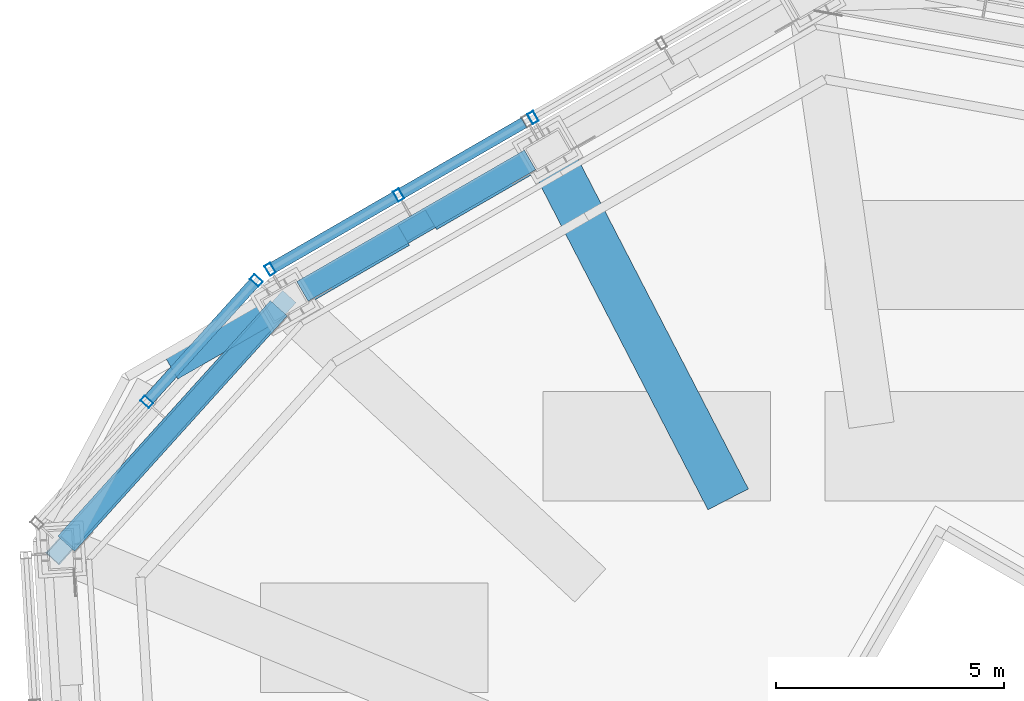
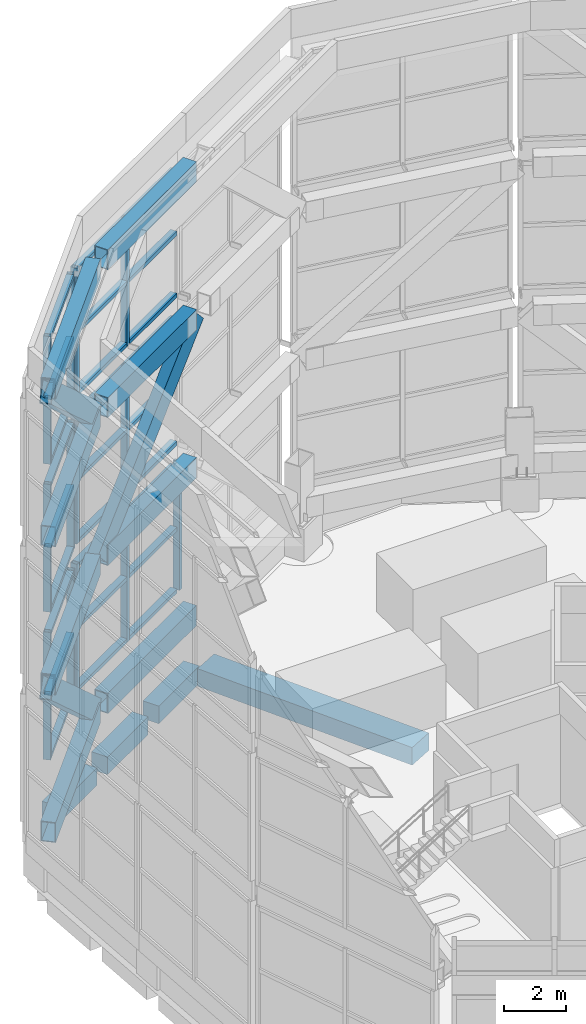
# One storey, part 12 of 46: 51 members, 4 beams, 7 elements without a shape of their own.
"""IFC4 building model written with IfcOpenShell, lengths in metres."""

from ifc_helpers import new_model, si_unit, direction, frame, origin, origin_2d, place, context, subcontext, project, spatial, rectangle, hollow_rectangle, extrude, material, material_profile, profile_set, type_object, element, aggregate, save


model = new_model("IFC4")

# Units and contexts
model_context = context("Model", 3, precision=1e-05, world=origin(), true_north=direction((0.0, 1.0)))
body_context = subcontext(model_context, "Body", "Model", "MODEL_VIEW")
ifc_project = project(units=[si_unit("LENGTHUNIT", "METRE"), si_unit("AREAUNIT", "SQUARE_METRE"), si_unit("VOLUMEUNIT", "CUBIC_METRE"), si_unit("PLANEANGLEUNIT", "RADIAN"), si_unit("MASSUNIT", "GRAM", prefix="KILO")], contexts=[model_context])

# Site, building, storey
site_placement = place(None, origin())
site = spatial("IfcSite", under=ifc_project, at=site_placement, CompositionType="ELEMENT")
building_placement = place(site_placement, origin())
building = spatial("IfcBuilding", under=site, at=building_placement, Name="Vanh Sen Convention Tower", CompositionType="ELEMENT")
storey_placement = place(building_placement, frame((0.0, 0.0, 305.0)))
storey = spatial("IfcBuildingStorey", under=building, at=storey_placement, Name="Roof level", CompositionType="ELEMENT", Elevation=305.0)

# Members
ifc_material_1 = material(Name="Steel S460", Category="steel")
ifc_material_profile_1 = material_profile(ifc_material_1, hollow_rectangle(XDim=0.39990234375, YDim=0.800048828125, WallThickness=0.02490234375, at=origin_2d()), Name="BOX 800X400X25")
ifc_profile_set_1 = profile_set([ifc_material_profile_1], Name="Steel S460")
member_type_1 = type_object("IfcMemberType", Name="Crown brace BOX 800X400X25", PredefinedType="BRACE", material=ifc_profile_set_1)
member_1_placement = place(storey_placement, frame((-14.4736328125, 13.31591796875, 1.7451171875), z_axis=(-0.521296181266, -0.577399571687, 0.628378887307), x_axis=(0.742247145805, -0.670126237768, 0.0)))
element("IfcMember", 1, at=member_1_placement, inside=storey, type_object=member_type_1, Name="CROWN FRAME brace tier 1 span 09", PredefinedType="BRACE", context=body_context, shape_type="SweptSolid", body=[
    extrude(hollow_rectangle(XDim=0.39990234375, YDim=0.800048828125, WallThickness=0.02490234375, at=origin_2d()), origin(), (0.0, 0.0, 1.0), 9.338623046875),
])
member_2_placement = place(storey_placement, frame((-8.791259765625, 16.6328125, 13.481689453125), z_axis=(-0.633788825979, -0.365927639316, -0.681475375086), x_axis=(0.500009725469, -0.866019788709, 0.0)))
element("IfcMember", 2, at=member_2_placement, inside=storey, type_object=member_type_1, Name="CROWN FRAME brace tier 2 span 08", PredefinedType="BRACE", context=body_context, shape_type="SweptSolid", body=[
    extrude(hollow_rectangle(XDim=0.39990234375, YDim=0.800048828125, WallThickness=0.02490234375, at=origin_2d()), origin(), (0.0, 0.0, 1.0), 8.611328125),
])
member_3_placement = place(storey_placement, frame((-14.4736328125, 13.31591796875, 13.481689453125), z_axis=(-0.521287617518, -0.577390086284, 0.628394707236), x_axis=(0.742247145805, -0.670126237768, 0.0)))
element("IfcMember", 3, at=member_3_placement, inside=storey, type_object=member_type_1, Name="CROWN FRAME brace tier 3 span 09", PredefinedType="BRACE", context=body_context, shape_type="SweptSolid", body=[
    extrude(hollow_rectangle(XDim=0.39990234375, YDim=0.800048828125, WallThickness=0.02490234375, at=origin_2d()), origin(), (0.0, 0.0, 1.0), 9.338623046875),
])
ifc_material_profile_2 = material_profile(ifc_material_1, hollow_rectangle(XDim=0.5, YDim=0.800048828125, WallThickness=0.030029296875, at=origin_2d()), Name="BOX 800X500X30")
ifc_profile_set_2 = profile_set([ifc_material_profile_2], Name="Steel S460")
member_type_2 = type_object("IfcMemberType", Name="Crown ring beam BOX 800X500X30", PredefinedType="CHORD", material=ifc_profile_set_2)
member_4_placement = place(storey_placement, frame((-9.020263671875, 16.50048828125, 1.7451171875), z_axis=(-0.866017276446, -0.500014076698, 0.0), x_axis=(0.500014076698, -0.866017276446, 0.0)))
element("IfcMember", 4, at=member_4_placement, inside=storey, type_object=member_type_2, Name="CROWN FRAME ring beam 1 span 08", PredefinedType="CHORD", context=body_context, shape_type="SweptSolid", body=[
    extrude(hollow_rectangle(XDim=0.5, YDim=0.800048828125, WallThickness=0.030029296875, at=origin_2d()), origin(), (0.0, 0.0, 1.0), 5.773193359375),
])
member_5_placement = place(storey_placement, frame((-14.537353515625, 13.2451171875, 1.7451171875), z_axis=(-0.670154297989, -0.742221811109, 0.0), x_axis=(0.742221811109, -0.670154297989, 0.0)))
element("IfcMember", 5, at=member_5_placement, inside=storey, type_object=member_type_2, Name="CROWN FRAME ring beam 1 span 09", PredefinedType="CHORD", context=body_context, shape_type="SweptSolid", body=[
    extrude(hollow_rectangle(XDim=0.5, YDim=0.800048828125, WallThickness=0.030029296875, at=origin_2d()), origin(), (0.0, 0.0, 1.0), 6.968505859375),
])
member_6_placement = place(storey_placement, frame((-9.020263671875, 16.50048828125, 7.61328125), z_axis=(-0.866017276446, -0.500014076698, 0.0), x_axis=(0.500014076698, -0.866017276446, 0.0)))
element("IfcMember", 6, at=member_6_placement, inside=storey, type_object=member_type_2, Name="CROWN FRAME ring beam 2 span 08", PredefinedType="CHORD", context=body_context, shape_type="SweptSolid", body=[
    extrude(hollow_rectangle(XDim=0.5, YDim=0.800048828125, WallThickness=0.030029296875, at=origin_2d()), origin(), (0.0, 0.0, 1.0), 5.773193359375),
])
member_7_placement = place(storey_placement, frame((-14.537353515625, 13.2451171875, 7.61328125), z_axis=(-0.670154297989, -0.742221811109, 0.0), x_axis=(0.742221811109, -0.670154297989, 0.0)))
element("IfcMember", 7, at=member_7_placement, inside=storey, type_object=member_type_2, Name="CROWN FRAME ring beam 2 span 09", PredefinedType="CHORD", context=body_context, shape_type="SweptSolid", body=[
    extrude(hollow_rectangle(XDim=0.5, YDim=0.800048828125, WallThickness=0.030029296875, at=origin_2d()), origin(), (0.0, 0.0, 1.0), 6.968505859375),
])
member_8_placement = place(storey_placement, frame((-9.020263671875, 16.50048828125, 13.481689453125), z_axis=(-0.866017276446, -0.500014076698, 0.0), x_axis=(0.500014076698, -0.866017276446, 0.0)))
element("IfcMember", 8, at=member_8_placement, inside=storey, type_object=member_type_2, Name="CROWN FRAME ring beam 3 span 08", PredefinedType="CHORD", context=body_context, shape_type="SweptSolid", body=[
    extrude(hollow_rectangle(XDim=0.5, YDim=0.800048828125, WallThickness=0.030029296875, at=origin_2d()), origin(), (0.0, 0.0, 1.0), 5.773193359375),
])
member_9_placement = place(storey_placement, frame((-14.537353515625, 13.2451171875, 13.481689453125), z_axis=(-0.670154297989, -0.742221811109, 0.0), x_axis=(0.742221811109, -0.670154297989, 0.0)))
element("IfcMember", 9, at=member_9_placement, inside=storey, type_object=member_type_2, Name="CROWN FRAME ring beam 3 span 09", PredefinedType="CHORD", context=body_context, shape_type="SweptSolid", body=[
    extrude(hollow_rectangle(XDim=0.5, YDim=0.800048828125, WallThickness=0.030029296875, at=origin_2d()), origin(), (0.0, 0.0, 1.0), 6.968505859375),
])
member_10_placement = place(storey_placement, frame((-9.020263671875, 16.50048828125, 19.35009765625), z_axis=(-0.866017276446, -0.500014076698, 0.0), x_axis=(0.500014076698, -0.866017276446, 0.0)))
element("IfcMember", 10, at=member_10_placement, inside=storey, type_object=member_type_2, Name="CROWN FRAME ring beam 4 span 08", PredefinedType="CHORD", context=body_context, shape_type="SweptSolid", body=[
    extrude(hollow_rectangle(XDim=0.5, YDim=0.800048828125, WallThickness=0.030029296875, at=origin_2d()), origin(), (0.0, 0.0, 1.0), 5.773193359375),
])
member_11_placement = place(storey_placement, frame((-14.537353515625, 13.2451171875, 19.35009765625), z_axis=(-0.670154297989, -0.742221811109, 0.0), x_axis=(0.742221811109, -0.670154297989, 0.0)))
element("IfcMember", 11, at=member_11_placement, inside=storey, type_object=member_type_2, Name="CROWN FRAME ring beam 4 span 09", PredefinedType="CHORD", context=body_context, shape_type="SweptSolid", body=[
    extrude(hollow_rectangle(XDim=0.5, YDim=0.800048828125, WallThickness=0.030029296875, at=origin_2d()), origin(), (0.0, 0.0, 1.0), 6.968505859375),
])

# Curtain wall, member
ifc_material_2 = material(Name="Concrete C60/75", Category="concrete")
curtain_wall_type = type_object("IfcCurtainWallType", Name="Crown screen", PredefinedType="NOTDEFINED", material=ifc_material_2)
curtain_wall_1_placement = place(storey_placement, origin())
curtain_wall_1 = element("IfcCurtainWall", 12, at=curtain_wall_1_placement, inside=storey, type_object=curtain_wall_type, Name="CROWN SCREEN 07 tier 1", PredefinedType="NOTDEFINED")
ifc_material_3 = material(Name="Steel S355", Category="steel")
ifc_material_profile_3 = material_profile(ifc_material_3, hollow_rectangle(XDim=0.25, YDim=0.14990234375, WallThickness=0.008056640625, at=origin_2d()), Name="RHS 250X150X8")
ifc_profile_set_3 = profile_set([ifc_material_profile_3], Name="Steel S355")
member_type_3 = type_object("IfcMemberType", Name="Crown screen mullion RHS 250X150X8", PredefinedType="MULLION", material=ifc_profile_set_3)
member_12_placement = place(storey_placement, frame((-8.95751953125, 17.431640625, 2.14501953125), z_axis=(0.0, 0.0, 1.0), x_axis=(0.500004787758, -0.866022639554, 0.0)))
member_12 = element("IfcMember", 13, at=member_12_placement, type_object=member_type_3, Name="CROWN SCREEN6 mullion 3", PredefinedType="MULLION", context=body_context, shape_type="SweptSolid", body=[
    extrude(hollow_rectangle(XDim=0.25, YDim=0.14990234375, WallThickness=0.008056640625, at=origin_2d()), origin(), (0.0, 0.0, 1.0), 5.068359375),
])
aggregate(curtain_wall_1, [member_12])

# Curtain wall, members
curtain_wall_2_placement = place(storey_placement, origin())
curtain_wall_2 = element("IfcCurtainWall", 14, at=curtain_wall_2_placement, inside=storey, type_object=curtain_wall_type, Name="CROWN SCREEN 08 tier 1", PredefinedType="NOTDEFINED")
member_13_placement = place(storey_placement, frame((-11.90771484375, 15.728271484375, 2.14501953125), z_axis=(0.0, 0.0, 1.0), x_axis=(0.500004787758, -0.866022639554, 0.0)))
member_13 = element("IfcMember", 15, at=member_13_placement, type_object=member_type_3, Name="CROWN SCREEN6 mullion 2", PredefinedType="MULLION", context=body_context, shape_type="SweptSolid", body=[
    extrude(hollow_rectangle(XDim=0.25, YDim=0.14990234375, WallThickness=0.008056640625, at=origin_2d()), origin(), (0.0, 0.0, 1.0), 5.068359375),
])
member_14_placement = place(storey_placement, frame((-14.72802734375, 14.10009765625, 2.14501953125), z_axis=(0.0, 0.0, 1.0), x_axis=(0.500004787758, -0.866022639554, 0.0)))
member_14 = element("IfcMember", 16, at=member_14_placement, type_object=member_type_3, Name="CROWN SCREEN6 mullion 3", PredefinedType="MULLION", context=body_context, shape_type="SweptSolid", body=[
    extrude(hollow_rectangle(XDim=0.25, YDim=0.14990234375, WallThickness=0.008056640625, at=origin_2d()), origin(), (0.0, 0.0, 1.0), 5.068359375),
])

curtain_wall_3_placement = place(storey_placement, origin())
curtain_wall_3 = element("IfcCurtainWall", 17, at=curtain_wall_3_placement, inside=storey, type_object=curtain_wall_type, Name="CROWN SCREEN 08 tier 2", PredefinedType="NOTDEFINED")
member_15_placement = place(storey_placement, frame((-11.90771484375, 15.728271484375, 8.01318359375), z_axis=(0.0, 0.0, 1.0), x_axis=(0.500004787758, -0.866022639554, 0.0)))
member_15 = element("IfcMember", 18, at=member_15_placement, type_object=member_type_3, Name="CROWN SCREEN6 mullion 2", PredefinedType="MULLION", context=body_context, shape_type="SweptSolid", body=[
    extrude(hollow_rectangle(XDim=0.25, YDim=0.14990234375, WallThickness=0.008056640625, at=origin_2d()), origin(), (0.0, 0.0, 1.0), 5.068603515625),
])
member_16_placement = place(storey_placement, frame((-14.72802734375, 14.10009765625, 8.01318359375), z_axis=(0.0, 0.0, 1.0), x_axis=(0.500004787758, -0.866022639554, 0.0)))
member_16 = element("IfcMember", 19, at=member_16_placement, type_object=member_type_3, Name="CROWN SCREEN6 mullion 3", PredefinedType="MULLION", context=body_context, shape_type="SweptSolid", body=[
    extrude(hollow_rectangle(XDim=0.25, YDim=0.14990234375, WallThickness=0.008056640625, at=origin_2d()), origin(), (0.0, 0.0, 1.0), 5.068603515625),
])

curtain_wall_4_placement = place(storey_placement, origin())
curtain_wall_4 = element("IfcCurtainWall", 20, at=curtain_wall_4_placement, inside=storey, type_object=curtain_wall_type, Name="CROWN SCREEN 08 tier 3", PredefinedType="NOTDEFINED")
member_17_placement = place(storey_placement, frame((-11.90771484375, 15.728271484375, 13.881591796875), z_axis=(0.0, 0.0, 1.0), x_axis=(0.500004787758, -0.866022639554, 0.0)))
member_17 = element("IfcMember", 21, at=member_17_placement, type_object=member_type_3, Name="CROWN SCREEN6 mullion 2", PredefinedType="MULLION", context=body_context, shape_type="SweptSolid", body=[
    extrude(hollow_rectangle(XDim=0.25, YDim=0.14990234375, WallThickness=0.008056640625, at=origin_2d()), origin(), (0.0, 0.0, 1.0), 5.068359375),
])
member_18_placement = place(storey_placement, frame((-14.72802734375, 14.10009765625, 13.881591796875), z_axis=(0.0, 0.0, 1.0), x_axis=(0.500004787758, -0.866022639554, 0.0)))
member_18 = element("IfcMember", 22, at=member_18_placement, type_object=member_type_3, Name="CROWN SCREEN6 mullion 3", PredefinedType="MULLION", context=body_context, shape_type="SweptSolid", body=[
    extrude(hollow_rectangle(XDim=0.25, YDim=0.14990234375, WallThickness=0.008056640625, at=origin_2d()), origin(), (0.0, 0.0, 1.0), 5.068359375),
])

curtain_wall_5_placement = place(storey_placement, origin())
curtain_wall_5 = element("IfcCurtainWall", 23, at=curtain_wall_5_placement, inside=storey, type_object=curtain_wall_type, Name="CROWN SCREEN 09 tier 1", PredefinedType="NOTDEFINED")
member_19_placement = place(storey_placement, frame((-15.031005859375, 13.85498046875, 2.14501953125), z_axis=(0.0, 0.0, 1.0), x_axis=(0.742232346529, -0.67014262942, 0.0)))
member_19 = element("IfcMember", 24, at=member_19_placement, type_object=member_type_3, Name="CROWN SCREEN6 mullion 1", PredefinedType="MULLION", context=body_context, shape_type="SweptSolid", body=[
    extrude(hollow_rectangle(XDim=0.25, YDim=0.14990234375, WallThickness=0.008056640625, at=origin_2d()), origin(), (0.0, 0.0, 1.0), 5.068359375),
])
member_20_placement = place(storey_placement, frame((-17.4384765625, 11.1884765625, 2.14501953125), z_axis=(0.0, 0.0, 1.0), x_axis=(0.742232346529, -0.67014262942, 0.0)))
member_20 = element("IfcMember", 25, at=member_20_placement, type_object=member_type_3, Name="CROWN SCREEN6 mullion 2", PredefinedType="MULLION", context=body_context, shape_type="SweptSolid", body=[
    extrude(hollow_rectangle(XDim=0.25, YDim=0.14990234375, WallThickness=0.008056640625, at=origin_2d()), origin(), (0.0, 0.0, 1.0), 5.068359375),
])

curtain_wall_6_placement = place(storey_placement, origin())
curtain_wall_6 = element("IfcCurtainWall", 26, at=curtain_wall_6_placement, inside=storey, type_object=curtain_wall_type, Name="CROWN SCREEN 09 tier 2", PredefinedType="NOTDEFINED")
member_21_placement = place(storey_placement, frame((-15.031005859375, 13.85498046875, 8.01318359375), z_axis=(0.0, 0.0, 1.0), x_axis=(0.742232346529, -0.67014262942, 0.0)))
member_21 = element("IfcMember", 27, at=member_21_placement, type_object=member_type_3, Name="CROWN SCREEN6 mullion 1", PredefinedType="MULLION", context=body_context, shape_type="SweptSolid", body=[
    extrude(hollow_rectangle(XDim=0.25, YDim=0.14990234375, WallThickness=0.008056640625, at=origin_2d()), origin(), (0.0, 0.0, 1.0), 5.068603515625),
])
member_22_placement = place(storey_placement, frame((-17.4384765625, 11.1884765625, 8.01318359375), z_axis=(0.0, 0.0, 1.0), x_axis=(0.742232346529, -0.67014262942, 0.0)))
member_22 = element("IfcMember", 28, at=member_22_placement, type_object=member_type_3, Name="CROWN SCREEN6 mullion 2", PredefinedType="MULLION", context=body_context, shape_type="SweptSolid", body=[
    extrude(hollow_rectangle(XDim=0.25, YDim=0.14990234375, WallThickness=0.008056640625, at=origin_2d()), origin(), (0.0, 0.0, 1.0), 5.068603515625),
])

curtain_wall_7_placement = place(storey_placement, origin())
curtain_wall_7 = element("IfcCurtainWall", 29, at=curtain_wall_7_placement, inside=storey, type_object=curtain_wall_type, Name="CROWN SCREEN 09 tier 3", PredefinedType="NOTDEFINED")
member_23_placement = place(storey_placement, frame((-15.031005859375, 13.85498046875, 13.881591796875), z_axis=(0.0, 0.0, 1.0), x_axis=(0.742232346529, -0.67014262942, 0.0)))
member_23 = element("IfcMember", 30, at=member_23_placement, type_object=member_type_3, Name="CROWN SCREEN6 mullion 1", PredefinedType="MULLION", context=body_context, shape_type="SweptSolid", body=[
    extrude(hollow_rectangle(XDim=0.25, YDim=0.14990234375, WallThickness=0.008056640625, at=origin_2d()), origin(), (0.0, 0.0, 1.0), 5.068359375),
])
member_24_placement = place(storey_placement, frame((-17.4384765625, 11.1884765625, 13.881591796875), z_axis=(0.0, 0.0, 1.0), x_axis=(0.742232346529, -0.67014262942, 0.0)))
member_24 = element("IfcMember", 31, at=member_24_placement, type_object=member_type_3, Name="CROWN SCREEN6 mullion 2", PredefinedType="MULLION", context=body_context, shape_type="SweptSolid", body=[
    extrude(hollow_rectangle(XDim=0.25, YDim=0.14990234375, WallThickness=0.008056640625, at=origin_2d()), origin(), (0.0, 0.0, 1.0), 5.068359375),
])

# Member
ifc_material_profile_4 = material_profile(ifc_material_3, hollow_rectangle(XDim=0.25, YDim=0.14990234375, WallThickness=0.008056640625, at=origin_2d()), Name="RHS 250X150X8")
ifc_profile_set_4 = profile_set([ifc_material_profile_4], Name="Steel S355")
member_type_4 = type_object("IfcMemberType", Name="Crown screen transom RHS 250X150X8", PredefinedType="USERDEFINED", material=ifc_profile_set_4)
member_25_placement = place(storey_placement, frame((-9.15234375, 17.319091796875, 2.219970703125), z_axis=(-0.866039014152, -0.499976425411, 0.0), x_axis=(0.499976425411, -0.866039014152, 0.0)))
member_25 = element("IfcMember", 32, at=member_25_placement, type_object=member_type_4, Name="CROWN SCREEN6 transom 1.1", ObjectType="TRANSOM", PredefinedType="USERDEFINED", context=body_context, shape_type="SweptSolid", body=[
    extrude(hollow_rectangle(XDim=0.25, YDim=0.14990234375, WallThickness=0.008056640625, at=origin_2d()), origin(), (0.0, 0.0, 1.0), 3.106689453125),
])

member_26_placement = place(storey_placement, frame((-9.15234375, 17.319091796875, 4.67919921875), z_axis=(-0.866039014152, -0.499976425411, 0.0), x_axis=(0.499976425411, -0.866039014152, 0.0)))
member_26 = element("IfcMember", 33, at=member_26_placement, type_object=member_type_4, Name="CROWN SCREEN6 transom 1.2", ObjectType="TRANSOM", PredefinedType="USERDEFINED", context=body_context, shape_type="SweptSolid", body=[
    extrude(hollow_rectangle(XDim=0.25, YDim=0.14990234375, WallThickness=0.008056640625, at=origin_2d()), origin(), (0.0, 0.0, 1.0), 3.106689453125),
])

member_27_placement = place(storey_placement, frame((-9.15234375, 17.319091796875, 7.13818359375), z_axis=(-0.866039014152, -0.499976425411, 0.0), x_axis=(0.499976425411, -0.866039014152, 0.0)))
member_27 = element("IfcMember", 34, at=member_27_placement, type_object=member_type_4, Name="CROWN SCREEN6 transom 1.3", ObjectType="TRANSOM", PredefinedType="USERDEFINED", context=body_context, shape_type="SweptSolid", body=[
    extrude(hollow_rectangle(XDim=0.25, YDim=0.14990234375, WallThickness=0.008056640625, at=origin_2d()), origin(), (0.0, 0.0, 1.0), 3.106689453125),
])

member_28_placement = place(storey_placement, frame((-11.97265625, 15.69091796875, 2.219970703125), z_axis=(-0.86600498498, -0.500035364739, 0.0), x_axis=(0.500035364739, -0.86600498498, 0.0)))
member_28 = element("IfcMember", 35, at=member_28_placement, type_object=member_type_4, Name="CROWN SCREEN6 transom 2.1", ObjectType="TRANSOM", PredefinedType="USERDEFINED", context=body_context, shape_type="SweptSolid", body=[
    extrude(hollow_rectangle(XDim=0.25, YDim=0.14990234375, WallThickness=0.008056640625, at=origin_2d()), origin(), (0.0, 0.0, 1.0), 3.106689453125),
])

member_29_placement = place(storey_placement, frame((-11.97265625, 15.69091796875, 4.67919921875), z_axis=(-0.86600498498, -0.500035364739, 0.0), x_axis=(0.500035364739, -0.86600498498, 0.0)))
member_29 = element("IfcMember", 36, at=member_29_placement, type_object=member_type_4, Name="CROWN SCREEN6 transom 2.2", ObjectType="TRANSOM", PredefinedType="USERDEFINED", context=body_context, shape_type="SweptSolid", body=[
    extrude(hollow_rectangle(XDim=0.25, YDim=0.14990234375, WallThickness=0.008056640625, at=origin_2d()), origin(), (0.0, 0.0, 1.0), 3.106689453125),
])

member_30_placement = place(storey_placement, frame((-11.97265625, 15.69091796875, 7.13818359375), z_axis=(-0.86600498498, -0.500035364739, 0.0), x_axis=(0.500035364739, -0.86600498498, 0.0)))
member_30 = element("IfcMember", 37, at=member_30_placement, type_object=member_type_4, Name="CROWN SCREEN6 transom 2.3", ObjectType="TRANSOM", PredefinedType="USERDEFINED", context=body_context, shape_type="SweptSolid", body=[
    extrude(hollow_rectangle(XDim=0.25, YDim=0.14990234375, WallThickness=0.008056640625, at=origin_2d()), origin(), (0.0, 0.0, 1.0), 3.106689453125),
])

aggregate(curtain_wall_2, [member_13, member_14, member_25, member_26, member_27, member_28, member_29, member_30])

member_31_placement = place(storey_placement, frame((-9.15234375, 17.319091796875, 8.08837890625), z_axis=(-0.866039014152, -0.499976425411, 0.0), x_axis=(0.499976425411, -0.866039014152, 0.0)))
member_31 = element("IfcMember", 38, at=member_31_placement, type_object=member_type_4, Name="CROWN SCREEN6 transom 1.1", ObjectType="TRANSOM", PredefinedType="USERDEFINED", context=body_context, shape_type="SweptSolid", body=[
    extrude(hollow_rectangle(XDim=0.25, YDim=0.14990234375, WallThickness=0.008056640625, at=origin_2d()), origin(), (0.0, 0.0, 1.0), 3.106689453125),
])

member_32_placement = place(storey_placement, frame((-9.15234375, 17.319091796875, 10.547607421875), z_axis=(-0.866039014152, -0.499976425411, 0.0), x_axis=(0.499976425411, -0.866039014152, 0.0)))
member_32 = element("IfcMember", 39, at=member_32_placement, type_object=member_type_4, Name="CROWN SCREEN6 transom 1.2", ObjectType="TRANSOM", PredefinedType="USERDEFINED", context=body_context, shape_type="SweptSolid", body=[
    extrude(hollow_rectangle(XDim=0.25, YDim=0.14990234375, WallThickness=0.008056640625, at=origin_2d()), origin(), (0.0, 0.0, 1.0), 3.106689453125),
])

member_33_placement = place(storey_placement, frame((-9.15234375, 17.319091796875, 13.006591796875), z_axis=(-0.866039014152, -0.499976425411, 0.0), x_axis=(0.499976425411, -0.866039014152, 0.0)))
member_33 = element("IfcMember", 40, at=member_33_placement, type_object=member_type_4, Name="CROWN SCREEN6 transom 1.3", ObjectType="TRANSOM", PredefinedType="USERDEFINED", context=body_context, shape_type="SweptSolid", body=[
    extrude(hollow_rectangle(XDim=0.25, YDim=0.14990234375, WallThickness=0.008056640625, at=origin_2d()), origin(), (0.0, 0.0, 1.0), 3.106689453125),
])

member_34_placement = place(storey_placement, frame((-11.97265625, 15.69091796875, 8.08837890625), z_axis=(-0.86600498498, -0.500035364739, 0.0), x_axis=(0.500035364739, -0.86600498498, 0.0)))
member_34 = element("IfcMember", 41, at=member_34_placement, type_object=member_type_4, Name="CROWN SCREEN6 transom 2.1", ObjectType="TRANSOM", PredefinedType="USERDEFINED", context=body_context, shape_type="SweptSolid", body=[
    extrude(hollow_rectangle(XDim=0.25, YDim=0.14990234375, WallThickness=0.008056640625, at=origin_2d()), origin(), (0.0, 0.0, 1.0), 3.106689453125),
])

member_35_placement = place(storey_placement, frame((-11.97265625, 15.69091796875, 10.547607421875), z_axis=(-0.86600498498, -0.500035364739, 0.0), x_axis=(0.500035364739, -0.86600498498, 0.0)))
member_35 = element("IfcMember", 42, at=member_35_placement, type_object=member_type_4, Name="CROWN SCREEN6 transom 2.2", ObjectType="TRANSOM", PredefinedType="USERDEFINED", context=body_context, shape_type="SweptSolid", body=[
    extrude(hollow_rectangle(XDim=0.25, YDim=0.14990234375, WallThickness=0.008056640625, at=origin_2d()), origin(), (0.0, 0.0, 1.0), 3.106689453125),
])

member_36_placement = place(storey_placement, frame((-11.97265625, 15.69091796875, 13.006591796875), z_axis=(-0.86600498498, -0.500035364739, 0.0), x_axis=(0.500035364739, -0.86600498498, 0.0)))
member_36 = element("IfcMember", 43, at=member_36_placement, type_object=member_type_4, Name="CROWN SCREEN6 transom 2.3", ObjectType="TRANSOM", PredefinedType="USERDEFINED", context=body_context, shape_type="SweptSolid", body=[
    extrude(hollow_rectangle(XDim=0.25, YDim=0.14990234375, WallThickness=0.008056640625, at=origin_2d()), origin(), (0.0, 0.0, 1.0), 3.106689453125),
])

aggregate(curtain_wall_3, [member_15, member_16, member_31, member_32, member_33, member_34, member_35, member_36])

member_37_placement = place(storey_placement, frame((-9.15234375, 17.319091796875, 13.956787109375), z_axis=(-0.866039014152, -0.499976425411, 0.0), x_axis=(0.499976425411, -0.866039014152, 0.0)))
member_37 = element("IfcMember", 44, at=member_37_placement, type_object=member_type_4, Name="CROWN SCREEN6 transom 1.1", ObjectType="TRANSOM", PredefinedType="USERDEFINED", context=body_context, shape_type="SweptSolid", body=[
    extrude(hollow_rectangle(XDim=0.25, YDim=0.14990234375, WallThickness=0.008056640625, at=origin_2d()), origin(), (0.0, 0.0, 1.0), 3.106689453125),
])

member_38_placement = place(storey_placement, frame((-9.15234375, 17.319091796875, 16.415771484375), z_axis=(-0.866039014152, -0.499976425411, 0.0), x_axis=(0.499976425411, -0.866039014152, 0.0)))
member_38 = element("IfcMember", 45, at=member_38_placement, type_object=member_type_4, Name="CROWN SCREEN6 transom 1.2", ObjectType="TRANSOM", PredefinedType="USERDEFINED", context=body_context, shape_type="SweptSolid", body=[
    extrude(hollow_rectangle(XDim=0.25, YDim=0.14990234375, WallThickness=0.008056640625, at=origin_2d()), origin(), (0.0, 0.0, 1.0), 3.106689453125),
])

member_39_placement = place(storey_placement, frame((-9.15234375, 17.319091796875, 18.875), z_axis=(-0.866039014152, -0.499976425411, 0.0), x_axis=(0.499976425411, -0.866039014152, 0.0)))
member_39 = element("IfcMember", 46, at=member_39_placement, type_object=member_type_4, Name="CROWN SCREEN6 transom 1.3", ObjectType="TRANSOM", PredefinedType="USERDEFINED", context=body_context, shape_type="SweptSolid", body=[
    extrude(hollow_rectangle(XDim=0.25, YDim=0.14990234375, WallThickness=0.008056640625, at=origin_2d()), origin(), (0.0, 0.0, 1.0), 3.106689453125),
])

member_40_placement = place(storey_placement, frame((-11.97265625, 15.69091796875, 13.956787109375), z_axis=(-0.86600498498, -0.500035364739, 0.0), x_axis=(0.500035364739, -0.86600498498, 0.0)))
member_40 = element("IfcMember", 47, at=member_40_placement, type_object=member_type_4, Name="CROWN SCREEN6 transom 2.1", ObjectType="TRANSOM", PredefinedType="USERDEFINED", context=body_context, shape_type="SweptSolid", body=[
    extrude(hollow_rectangle(XDim=0.25, YDim=0.14990234375, WallThickness=0.008056640625, at=origin_2d()), origin(), (0.0, 0.0, 1.0), 3.106689453125),
])

member_41_placement = place(storey_placement, frame((-11.97265625, 15.69091796875, 16.415771484375), z_axis=(-0.86600498498, -0.500035364739, 0.0), x_axis=(0.500035364739, -0.86600498498, 0.0)))
member_41 = element("IfcMember", 48, at=member_41_placement, type_object=member_type_4, Name="CROWN SCREEN6 transom 2.2", ObjectType="TRANSOM", PredefinedType="USERDEFINED", context=body_context, shape_type="SweptSolid", body=[
    extrude(hollow_rectangle(XDim=0.25, YDim=0.14990234375, WallThickness=0.008056640625, at=origin_2d()), origin(), (0.0, 0.0, 1.0), 3.106689453125),
])

member_42_placement = place(storey_placement, frame((-11.97265625, 15.69091796875, 18.875), z_axis=(-0.86600498498, -0.500035364739, 0.0), x_axis=(0.500035364739, -0.86600498498, 0.0)))
member_42 = element("IfcMember", 49, at=member_42_placement, type_object=member_type_4, Name="CROWN SCREEN6 transom 2.3", ObjectType="TRANSOM", PredefinedType="USERDEFINED", context=body_context, shape_type="SweptSolid", body=[
    extrude(hollow_rectangle(XDim=0.25, YDim=0.14990234375, WallThickness=0.008056640625, at=origin_2d()), origin(), (0.0, 0.0, 1.0), 3.106689453125),
])

aggregate(curtain_wall_4, [member_17, member_18, member_37, member_38, member_39, member_40, member_41, member_42])

member_43_placement = place(storey_placement, frame((-15.081298828125, 13.79931640625, 2.219970703125), z_axis=(-0.670123715046, -0.742249423397, 0.0), x_axis=(0.742249423397, -0.670123715046, 0.0)))
member_43 = element("IfcMember", 50, at=member_43_placement, type_object=member_type_4, Name="CROWN SCREEN6 transom 1.1", ObjectType="TRANSOM", PredefinedType="USERDEFINED", context=body_context, shape_type="SweptSolid", body=[
    extrude(hollow_rectangle(XDim=0.25, YDim=0.14990234375, WallThickness=0.008056640625, at=origin_2d()), origin(), (0.0, 0.0, 1.0), 3.4423828125),
])

member_44_placement = place(storey_placement, frame((-15.081298828125, 13.79931640625, 4.67919921875), z_axis=(-0.670123715046, -0.742249423397, 0.0), x_axis=(0.742249423397, -0.670123715046, 0.0)))
member_44 = element("IfcMember", 51, at=member_44_placement, type_object=member_type_4, Name="CROWN SCREEN6 transom 1.2", ObjectType="TRANSOM", PredefinedType="USERDEFINED", context=body_context, shape_type="SweptSolid", body=[
    extrude(hollow_rectangle(XDim=0.25, YDim=0.14990234375, WallThickness=0.008056640625, at=origin_2d()), origin(), (0.0, 0.0, 1.0), 3.4423828125),
])

member_45_placement = place(storey_placement, frame((-15.081298828125, 13.79931640625, 7.13818359375), z_axis=(-0.670123715046, -0.742249423397, 0.0), x_axis=(0.742249423397, -0.670123715046, 0.0)))
member_45 = element("IfcMember", 52, at=member_45_placement, type_object=member_type_4, Name="CROWN SCREEN6 transom 1.3", ObjectType="TRANSOM", PredefinedType="USERDEFINED", context=body_context, shape_type="SweptSolid", body=[
    extrude(hollow_rectangle(XDim=0.25, YDim=0.14990234375, WallThickness=0.008056640625, at=origin_2d()), origin(), (0.0, 0.0, 1.0), 3.4423828125),
])

aggregate(curtain_wall_5, [member_19, member_20, member_43, member_44, member_45])

member_46_placement = place(storey_placement, frame((-15.081298828125, 13.79931640625, 8.08837890625), z_axis=(-0.670123715046, -0.742249423397, 0.0), x_axis=(0.742249423397, -0.670123715046, 0.0)))
member_46 = element("IfcMember", 53, at=member_46_placement, type_object=member_type_4, Name="CROWN SCREEN6 transom 1.1", ObjectType="TRANSOM", PredefinedType="USERDEFINED", context=body_context, shape_type="SweptSolid", body=[
    extrude(hollow_rectangle(XDim=0.25, YDim=0.14990234375, WallThickness=0.008056640625, at=origin_2d()), origin(), (0.0, 0.0, 1.0), 3.4423828125),
])

member_47_placement = place(storey_placement, frame((-15.081298828125, 13.79931640625, 10.547607421875), z_axis=(-0.670123715046, -0.742249423397, 0.0), x_axis=(0.742249423397, -0.670123715046, 0.0)))
member_47 = element("IfcMember", 54, at=member_47_placement, type_object=member_type_4, Name="CROWN SCREEN6 transom 1.2", ObjectType="TRANSOM", PredefinedType="USERDEFINED", context=body_context, shape_type="SweptSolid", body=[
    extrude(hollow_rectangle(XDim=0.25, YDim=0.14990234375, WallThickness=0.008056640625, at=origin_2d()), origin(), (0.0, 0.0, 1.0), 3.4423828125),
])

member_48_placement = place(storey_placement, frame((-15.081298828125, 13.79931640625, 13.006591796875), z_axis=(-0.670123715046, -0.742249423397, 0.0), x_axis=(0.742249423397, -0.670123715046, 0.0)))
member_48 = element("IfcMember", 55, at=member_48_placement, type_object=member_type_4, Name="CROWN SCREEN6 transom 1.3", ObjectType="TRANSOM", PredefinedType="USERDEFINED", context=body_context, shape_type="SweptSolid", body=[
    extrude(hollow_rectangle(XDim=0.25, YDim=0.14990234375, WallThickness=0.008056640625, at=origin_2d()), origin(), (0.0, 0.0, 1.0), 3.4423828125),
])

aggregate(curtain_wall_6, [member_21, member_22, member_46, member_47, member_48])

member_49_placement = place(storey_placement, frame((-15.081298828125, 13.79931640625, 13.956787109375), z_axis=(-0.670123715046, -0.742249423397, 0.0), x_axis=(0.742249423397, -0.670123715046, 0.0)))
member_49 = element("IfcMember", 56, at=member_49_placement, type_object=member_type_4, Name="CROWN SCREEN6 transom 1.1", ObjectType="TRANSOM", PredefinedType="USERDEFINED", context=body_context, shape_type="SweptSolid", body=[
    extrude(hollow_rectangle(XDim=0.25, YDim=0.14990234375, WallThickness=0.008056640625, at=origin_2d()), origin(), (0.0, 0.0, 1.0), 3.4423828125),
])

member_50_placement = place(storey_placement, frame((-15.081298828125, 13.79931640625, 16.415771484375), z_axis=(-0.670123715046, -0.742249423397, 0.0), x_axis=(0.742249423397, -0.670123715046, 0.0)))
member_50 = element("IfcMember", 57, at=member_50_placement, type_object=member_type_4, Name="CROWN SCREEN6 transom 1.2", ObjectType="TRANSOM", PredefinedType="USERDEFINED", context=body_context, shape_type="SweptSolid", body=[
    extrude(hollow_rectangle(XDim=0.25, YDim=0.14990234375, WallThickness=0.008056640625, at=origin_2d()), origin(), (0.0, 0.0, 1.0), 3.4423828125),
])

member_51_placement = place(storey_placement, frame((-15.081298828125, 13.79931640625, 18.875), z_axis=(-0.670123715046, -0.742249423397, 0.0), x_axis=(0.742249423397, -0.670123715046, 0.0)))
member_51 = element("IfcMember", 58, at=member_51_placement, type_object=member_type_4, Name="CROWN SCREEN6 transom 1.3", ObjectType="TRANSOM", PredefinedType="USERDEFINED", context=body_context, shape_type="SweptSolid", body=[
    extrude(hollow_rectangle(XDim=0.25, YDim=0.14990234375, WallThickness=0.008056640625, at=origin_2d()), origin(), (0.0, 0.0, 1.0), 3.4423828125),
])

aggregate(curtain_wall_7, [member_23, member_24, member_49, member_50, member_51])

# Beams
ifc_material_4 = material(Name="Concrete C50/60", Category="concrete")
ifc_material_profile_5 = material_profile(ifc_material_4, rectangle(XDim=1.0, YDim=0.699951171875, at=origin_2d()), Name="RC 1000X700")
ifc_profile_set_5 = profile_set([ifc_material_profile_5], Name="Concrete C50/60")
beam_type_1 = type_object("IfcBeamType", Name="Radial floor beam 1000 x 700", PredefinedType="BEAM", material=ifc_profile_set_5)
beam_1_placement = place(storey_placement, frame((-8.476318359375, 16.416015625, -0.64990234375), z_axis=(0.458787653856, -0.888545940664, 0.0), x_axis=(0.888545940664, 0.458787653856, 0.0)))
element("IfcBeam", 59, at=beam_1_placement, inside=storey, type_object=beam_type_1, Name="Radial beam 08 Roof level", PredefinedType="BEAM", context=body_context, shape_type="SweptSolid", body=[
    extrude(rectangle(XDim=1.0, YDim=0.699951171875, at=origin_2d()), origin(), (0.0, 0.0, 1.0), 8.29248046875),
])
ifc_material_profile_6 = material_profile(ifc_material_4, rectangle(XDim=0.60009765625, YDim=0.699951171875, at=origin_2d()), Name="RC 600X700")
ifc_profile_set_6 = profile_set([ifc_material_profile_6], Name="Concrete C50/60")
beam_type_2 = type_object("IfcBeamType", Name="Spandrel beam 600 x 700", PredefinedType="SPANDREL", material=ifc_profile_set_6)
beam_2_placement = place(storey_placement, frame((-8.93359375, 16.550537109375, -0.64990234375), z_axis=(-0.86603938454, -0.49997578384, 0.0), x_axis=(0.49997578384, -0.86603938454, 0.0)))
element("IfcBeam", 60, at=beam_2_placement, inside=storey, type_object=beam_type_2, Name="Spandrel beam 15 Roof level", PredefinedType="SPANDREL", context=body_context, shape_type="SweptSolid", body=[
    extrude(rectangle(XDim=0.60009765625, YDim=0.699951171875, at=origin_2d()), origin(), (0.0, 0.0, 1.0), 2.641845703125),
])
beam_3_placement = place(storey_placement, frame((-11.819091796875, 14.884765625, -0.64990234375), z_axis=(-0.865976257072, -0.500085114943, 0.0), x_axis=(0.500085114943, -0.865976257072, 0.0)))
element("IfcBeam", 61, at=beam_3_placement, inside=storey, type_object=beam_type_2, Name="Spandrel beam 16 Roof level", PredefinedType="SPANDREL", context=body_context, shape_type="SweptSolid", body=[
    extrude(rectangle(XDim=0.60009765625, YDim=0.699951171875, at=origin_2d()), origin(), (0.0, 0.0, 1.0), 2.6416015625),
])
beam_4_placement = place(storey_placement, frame((-14.704345703125, 13.21875, -0.64990234375), z_axis=(-0.866041625918, -0.499971901387, 0.0), x_axis=(0.499971901387, -0.866041625918, 0.0)))
element("IfcBeam", 62, at=beam_4_placement, inside=storey, type_object=beam_type_2, Name="Spandrel beam 17 Roof level", PredefinedType="SPANDREL", context=body_context, shape_type="SweptSolid", body=[
    extrude(rectangle(XDim=0.60009765625, YDim=0.699951171875, at=origin_2d()), origin(), (0.0, 0.0, 1.0), 2.541748046875),
])

save(model, "model.ifc")
